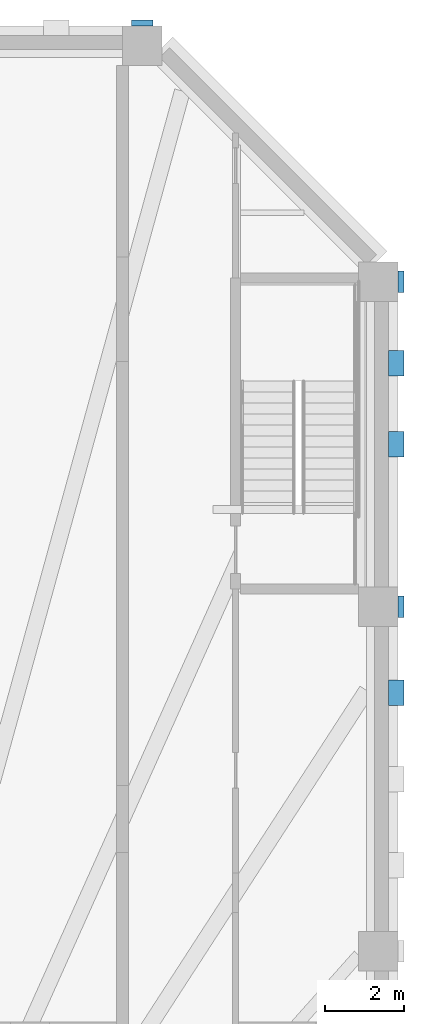
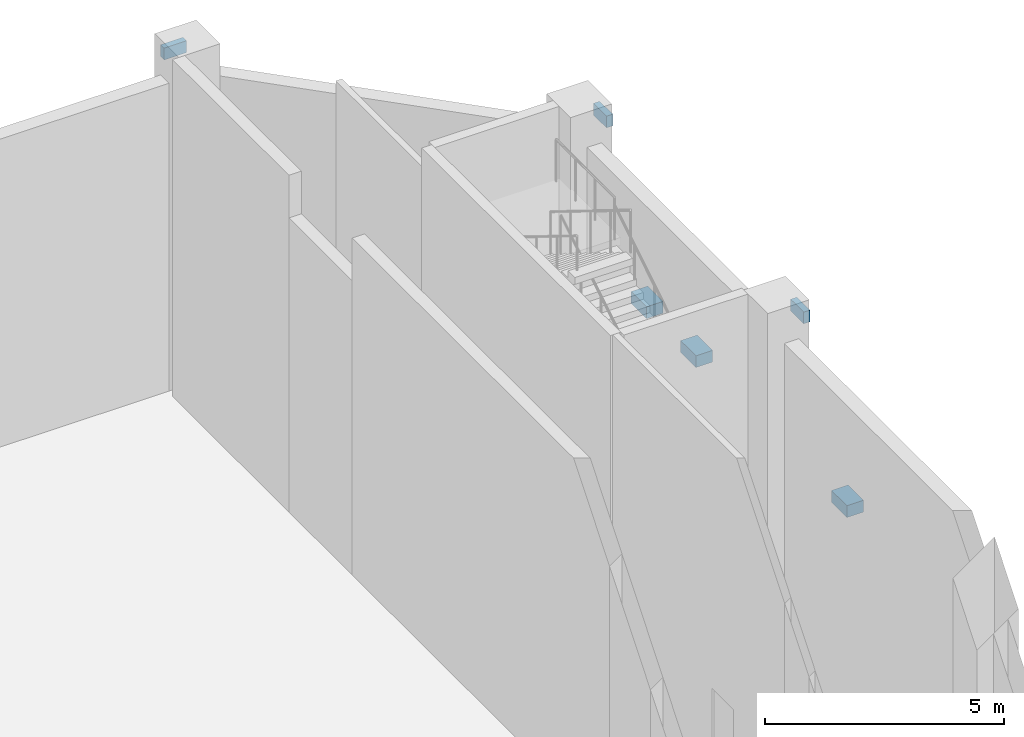
# One storey, part 18 of 23: 6 discrete accessories.
"""IFC4 building model written with IfcOpenShell, lengths in metres."""

from ifc_helpers import new_model, si_unit, direction, frame, origin, origin_2d, place, context, subcontext, project, spatial, rectangle, extrude, material, type_object, element, save


model = new_model("IFC4")

# Units and contexts
model_context = context("Model", 3, precision=1e-05, world=origin(), true_north=direction((0.0, 1.0)))
body_context = subcontext(model_context, "Body", "Model", "MODEL_VIEW")
ifc_project = project(units=[si_unit("LENGTHUNIT", "METRE"), si_unit("AREAUNIT", "SQUARE_METRE"), si_unit("VOLUMEUNIT", "CUBIC_METRE"), si_unit("PLANEANGLEUNIT", "RADIAN"), si_unit("MASSUNIT", "GRAM", prefix="KILO")], contexts=[model_context])

# Site, building, storey
site_placement = place(None, origin())
site = spatial("IfcSite", under=ifc_project, at=site_placement, CompositionType="ELEMENT")
building_placement = place(site_placement, origin())
building = spatial("IfcBuilding", under=site, at=building_placement, Name="Isthmus Gate Tower", CompositionType="ELEMENT")
storey_placement = place(building_placement, frame((0.0, 0.0, 9.0)))
storey = spatial("IfcBuildingStorey", under=building, at=storey_placement, Name="L01", CompositionType="ELEMENT", Elevation=9.0)

# Discrete accessories
ifc_material_1 = material(Name="Structural steel ASTM A572 Gr 50, white paint system", Category="steel")
discrete_accessory_type_1 = type_object("IfcDiscreteAccessoryType", Name="FIN BRACKET 544 X 150 X 300", PredefinedType="BRACKET", material=ifc_material_1)
for number, where, z_axis, x_axis, name in (
    (1, (52.074951171875, 26.25, 7.85009765625), (0.0, 0.0, 1.0), (1.0, 0.0, 0.0), "FIN BRACKET"),
    (2, (52.074951171875, 34.5, 7.85009765625), (0.0, 0.0, 1.0), (1.0, 0.0, 0.0), "FIN BRACKET"),
    (3, (45.5, 41.074951171875, 7.85009765625), (0.0, 0.0, 1.0), (0.0, 1.0, 0.0), "FIN BRACKET"),
):
    element("IfcDiscreteAccessory", number, at=place(storey_placement, frame(where, z_axis=z_axis, x_axis=x_axis)), inside=storey, type_object=discrete_accessory_type_1, Name=name, PredefinedType="BRACKET", context=body_context, shape_type="SweptSolid", body=[
        extrude(rectangle(XDim=0.14990234375, YDim=0.54443359375, at=origin_2d()), origin(), (0.0, 0.0, 1.0), 0.300048828125),
    ])
ifc_material_2 = material(Name="Structural steel ASTM A572 Gr 50, white paint system", Category="steel")
discrete_accessory_type_2 = type_object("IfcDiscreteAccessoryType", Name="FIN BRACKET 647 X 400 X 300", PredefinedType="BRACKET", material=ifc_material_2)
for number, where, z_axis, x_axis, name in (
    (4, (51.949951171875, 24.0625, 4.35009765625), (0.0, 0.0, 1.0), (1.0, 0.0, 0.0), "FIN BRACKET"),
    (5, (51.949951171875, 30.375, 4.35009765625), (0.0, 0.0, 1.0), (1.0, 0.0, 0.0), "FIN BRACKET"),
    (6, (51.949951171875, 32.4375, 4.35009765625), (0.0, 0.0, 1.0), (1.0, 0.0, 0.0), "FIN BRACKET"),
):
    element("IfcDiscreteAccessory", number, at=place(storey_placement, frame(where, z_axis=z_axis, x_axis=x_axis)), inside=storey, type_object=discrete_accessory_type_2, Name=name, PredefinedType="BRACKET", context=body_context, shape_type="SweptSolid", body=[
        extrude(rectangle(XDim=0.39990234375, YDim=0.64697265625, at=origin_2d()), origin(), (0.0, 0.0, 1.0), 0.300048828125),
    ])

save(model, "model.ifc")
